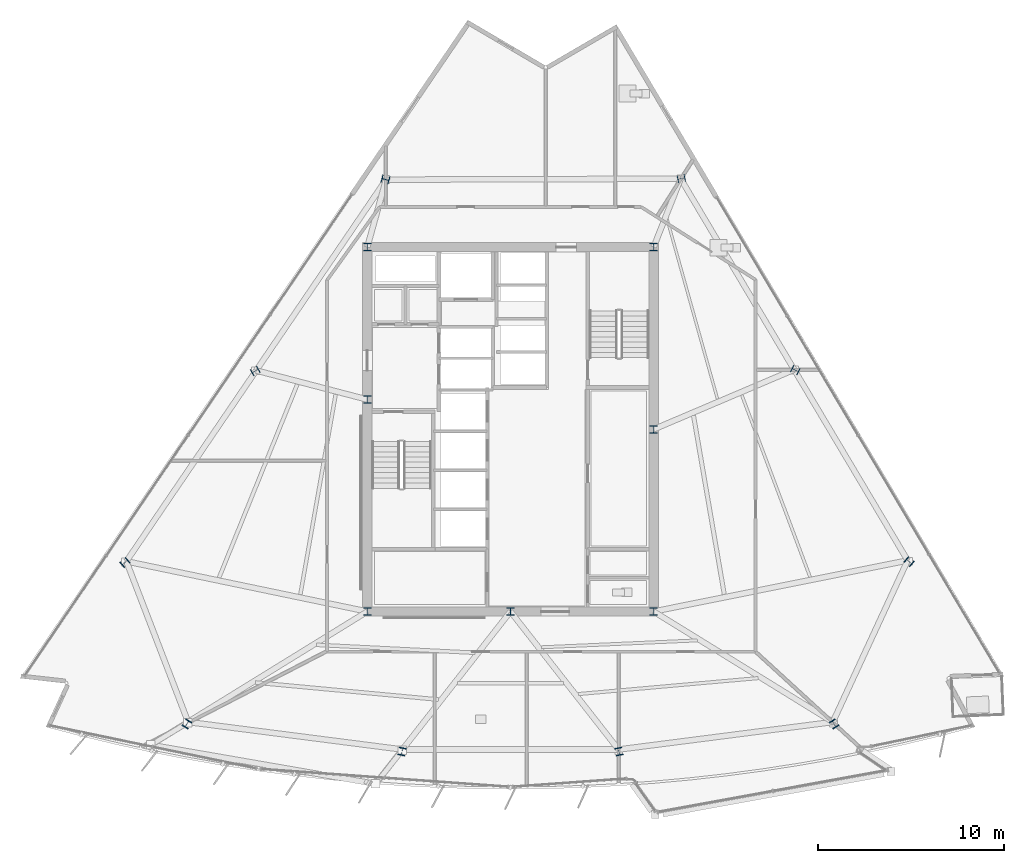
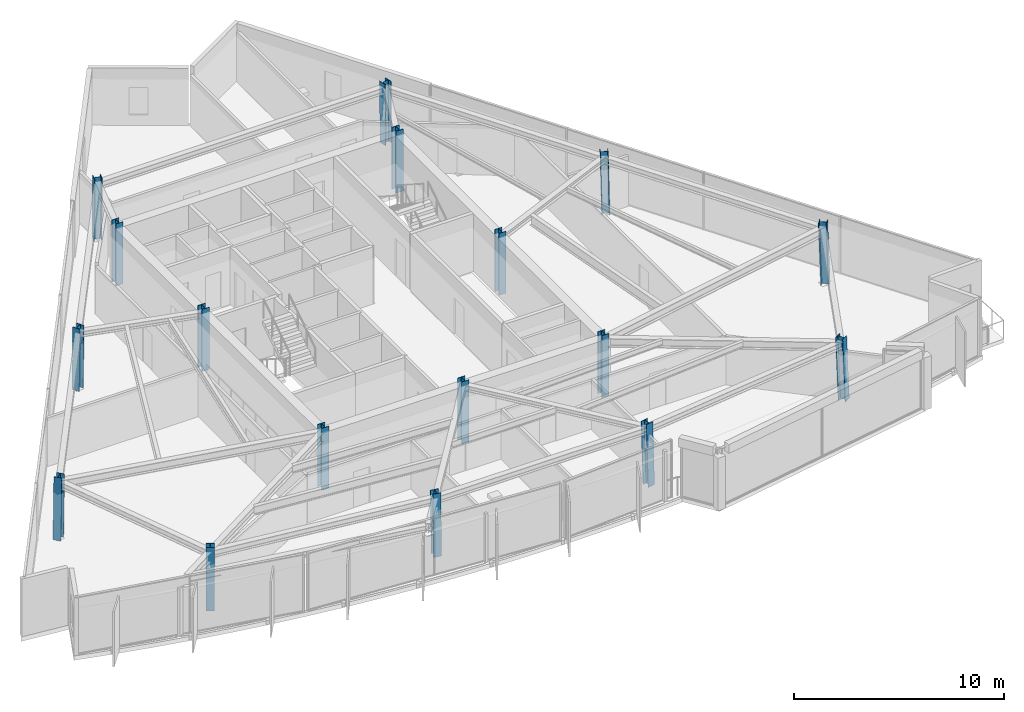
# One storey, part 1 of 13: 17 columns.
"""IFC4 building model written with IfcOpenShell, lengths in metres."""

from ifc_helpers import new_model, si_unit, direction, frame, origin, origin_2d, place, context, subcontext, project, spatial, i_section, extrude, material, material_profile, profile_set, type_object, element, save


model = new_model("IFC4")

# Units and contexts
model_context = context("Model", 3, precision=1e-05, world=origin(), true_north=direction((0.0, 1.0)))
body_context = subcontext(model_context, "Body", "Model", "MODEL_VIEW")
ifc_project = project(units=[si_unit("LENGTHUNIT", "METRE"), si_unit("AREAUNIT", "SQUARE_METRE"), si_unit("VOLUMEUNIT", "CUBIC_METRE"), si_unit("PLANEANGLEUNIT", "RADIAN"), si_unit("MASSUNIT", "GRAM", prefix="KILO")], contexts=[model_context])

# Site, building, storey
site_placement = place(None, origin())
site = spatial("IfcSite", under=ifc_project, at=site_placement, CompositionType="ELEMENT")
building_placement = place(site_placement, origin())
building = spatial("IfcBuilding", under=site, at=building_placement, Name="Savorim Split Tower", CompositionType="ELEMENT")
storey_placement = place(building_placement, frame((0.0, 0.0, 174.60009765625)))
storey = spatial("IfcBuildingStorey", under=building, at=storey_placement, Name="L46", CompositionType="ELEMENT", Elevation=174.60009765625)

# Columns
ifc_material = material(Name="Steel S460", Category="steel")
ifc_material_profile_1 = material_profile(ifc_material, i_section(OverallWidth=0.40087890625, OverallDepth=0.39892578125, WebThickness=0.015625, FlangeThickness=0.02490234375, FilletRadius=0.014892578125, at=origin_2d()), Name="HD 400x314")
ifc_profile_set_1 = profile_set([ifc_material_profile_1], Name="Steel S460")
column_type_1 = type_object("IfcColumnType", Name="COL-HD-314", PredefinedType="COLUMN", material=ifc_profile_set_1)
column_1_placement = place(storey_placement, frame((-17.41455078125, -15.46533203125, 0.00537109375), z_axis=(0.021205716244, 0.034391321857, 0.999183443908), x_axis=(-0.851195920716, 0.524848077596, 0.0)))
element("IfcColumn", 1, at=column_1_placement, inside=storey, type_object=column_type_1, Name="L46 Tapered Perimeter Column PC-S1", PredefinedType="COLUMN", context=body_context, shape_type="SweptSolid", body=[
    extrude(i_section(OverallWidth=0.40087890625, OverallDepth=0.39892578125, WebThickness=0.015625, FlangeThickness=0.02490234375, FilletRadius=0.014892578125, at=origin_2d()), origin(), (0.0, 0.0, 1.0), 3.592041015625),
])
for number, where, z_axis, x_axis, name in (
    (2, (-5.83642578125, -16.951904296875, 0.00537109375), (0.007069526978, 0.036231325765, 0.999318424138), (-0.981490592026, 0.19151035942, 0.0), "L46 Tapered Perimeter Column PC-S2"),
    (3, (5.83642578125, -16.951904296875, 0.00537109375), (-0.007069526978, 0.036231325765, 0.999318424138), (-0.981490592026, -0.19151035942, 0.0), "L46 Tapered Perimeter Column PC-S3"),
):
    element("IfcColumn", number, at=place(storey_placement, frame(where, z_axis=z_axis, x_axis=x_axis)), inside=storey, type_object=column_type_1, Name=name, PredefinedType="COLUMN", context=body_context, shape_type="SweptSolid", body=[
        extrude(i_section(OverallWidth=0.40087890625, OverallDepth=0.39892578125, WebThickness=0.015625, FlangeThickness=0.02490234375, FilletRadius=0.014892578125, at=origin_2d()), origin(), (0.0, 0.0, 1.0), 3.591552734375),
    ])
column_2_placement = place(storey_placement, frame((17.41455078125, -15.46533203125, 0.00537109375), z_axis=(-0.021205716244, 0.034391321857, 0.999183443908), x_axis=(-0.851195920716, -0.524848077596, 0.0)))
element("IfcColumn", 4, at=column_2_placement, inside=storey, type_object=column_type_1, Name="L46 Tapered Perimeter Column PC-S4", PredefinedType="COLUMN", context=body_context, shape_type="SweptSolid", body=[
    extrude(i_section(OverallWidth=0.40087890625, OverallDepth=0.39892578125, WebThickness=0.015625, FlangeThickness=0.02490234375, FilletRadius=0.014892578125, at=origin_2d()), origin(), (0.0, 0.0, 1.0), 3.592041015625),
])
column_3_placement = place(storey_placement, frame((21.45458984375, -6.732421875, 0.00537109375), z_axis=(-0.026784657173, 0.022229905827, 0.99939402311), x_axis=(-0.638646294968, -0.7695004288, 0.0)))
element("IfcColumn", 5, at=column_3_placement, inside=storey, type_object=column_type_1, Name="L46 Tapered Perimeter Column PC-E1", PredefinedType="COLUMN", context=body_context, shape_type="SweptSolid", body=[
    extrude(i_section(OverallWidth=0.40087890625, OverallDepth=0.39892578125, WebThickness=0.015625, FlangeThickness=0.02490234375, FilletRadius=0.014892578125, at=origin_2d()), origin(), (0.0, 0.0, 1.0), 3.59130859375),
])
column_4_placement = place(storey_placement, frame((15.3251953125, 3.575927734375, 0.00537109375), z_axis=(-0.019449845701, 0.009792929304, 0.999762872904), x_axis=(-0.449710241045, -0.893174506521, 0.0)))
element("IfcColumn", 6, at=column_4_placement, inside=storey, type_object=column_type_1, Name="L46 Tapered Perimeter Column PC-E2", PredefinedType="COLUMN", context=body_context, shape_type="SweptSolid", body=[
    extrude(i_section(OverallWidth=0.40087890625, OverallDepth=0.39892578125, WebThickness=0.015625, FlangeThickness=0.02490234375, FilletRadius=0.014892578125, at=origin_2d()), origin(), (0.0, 0.0, 1.0), 3.58984375),
])
for number, where, z_axis, x_axis, name in (
    (7, (9.19580078125, 13.88427734375, 0.00537109375), (-0.012107091976, -0.002584660085, 0.999923365992), (0.208778603291, -0.977962931203, 0.0), "L46 Tapered Perimeter Column PC-E3"),
    (8, (-6.72509765625, 13.83544921875, 0.00537109375), (0.00911461711, -0.002584742166, 0.999955120424), (0.272824100275, 0.962063932548, 0.0), "L46 Tapered Perimeter Column PC-W1"),
):
    element("IfcColumn", number, at=place(storey_placement, frame(where, z_axis=z_axis, x_axis=x_axis)), inside=storey, type_object=column_type_1, Name=name, PredefinedType="COLUMN", context=body_context, shape_type="SweptSolid", body=[
        extrude(i_section(OverallWidth=0.40087890625, OverallDepth=0.39892578125, WebThickness=0.015625, FlangeThickness=0.02490234375, FilletRadius=0.014892578125, at=origin_2d()), origin(), (0.0, 0.0, 1.0), 3.58935546875),
    ])
column_5_placement = place(storey_placement, frame((-13.737548828125, 3.527099609375, 0.00537109375), z_axis=(0.017478283334, 0.009861288262, 0.999798612024), x_axis=(-0.491387103822, 0.870941280568, 0.0)))
element("IfcColumn", 9, at=column_5_placement, inside=storey, type_object=column_type_1, Name="L46 Tapered Perimeter Column PC-W2", PredefinedType="COLUMN", context=body_context, shape_type="SweptSolid", body=[
    extrude(i_section(OverallWidth=0.40087890625, OverallDepth=0.39892578125, WebThickness=0.015625, FlangeThickness=0.02490234375, FilletRadius=0.014892578125, at=origin_2d()), origin(), (0.0, 0.0, 1.0), 3.58984375),
])
column_6_placement = place(storey_placement, frame((-20.75, -6.781005859375, 0.00537109375), z_axis=(0.025969478805, 0.022162434791, 0.999417036404), x_axis=(-0.649149996291, 0.760660425102, 0.0)))
element("IfcColumn", 10, at=column_6_placement, inside=storey, type_object=column_type_1, Name="L46 Tapered Perimeter Column PC-W3", PredefinedType="COLUMN", context=body_context, shape_type="SweptSolid", body=[
    extrude(i_section(OverallWidth=0.40087890625, OverallDepth=0.39892578125, WebThickness=0.015625, FlangeThickness=0.02490234375, FilletRadius=0.014892578125, at=origin_2d()), origin(), (0.0, 0.0, 1.0), 3.59130859375),
])
ifc_material_profile_2 = material_profile(ifc_material, i_section(OverallWidth=0.404052734375, OverallDepth=0.406982421875, WebThickness=0.017333984375, FlangeThickness=0.028076171875, FilletRadius=0.014892578125, at=origin_2d()), Name="HD 400x347")
ifc_profile_set_2 = profile_set([ifc_material_profile_2], Name="Steel S460")
column_type_2 = type_object("IfcColumnType", Name="COL-HD-347", PredefinedType="COLUMN", material=ifc_profile_set_2)
for number, where, z_axis, x_axis, name in (
    (11, (-7.699951171875, -9.39990234375, 0.0), (0.0, 0.0, 1.0), (1.0, 0.0, 0.0), "L46 Core Structural Column TC-C1"),
    (12, (7.699951171875, -9.39990234375, 0.0), (0.0, 0.0, 1.0), (1.0, 0.0, 0.0), "L46 Core Structural Column TC-C2"),
    (13, (7.699951171875, 10.199951171875, 0.0), (0.0, 0.0, 1.0), (1.0, 0.0, 0.0), "L46 Core Structural Column TC-C3"),
    (14, (-7.699951171875, 10.199951171875, 0.0), (0.0, 0.0, 1.0), (1.0, 0.0, 0.0), "L46 Core Structural Column TC-C4"),
    (15, (0.0, -9.39990234375, 0.0), (0.0, 0.0, 1.0), (1.0, 0.0, 0.0), "L46 Core Structural Column TC-C5"),
    (16, (7.699951171875, 0.39990234375, 0.0), (0.0, 0.0, 1.0), (1.0, 0.0, 0.0), "L46 Core Structural Column TC-C6"),
    (17, (-7.699951171875, 2.0, 0.0), (0.0, 0.0, 1.0), (1.0, 0.0, 0.0), "L46 Core Structural Column TC-C7"),
):
    element("IfcColumn", number, at=place(storey_placement, frame(where, z_axis=z_axis, x_axis=x_axis)), inside=storey, type_object=column_type_2, Name=name, PredefinedType="COLUMN", context=body_context, shape_type="SweptSolid", body=[
        extrude(i_section(OverallWidth=0.404052734375, OverallDepth=0.406982421875, WebThickness=0.017333984375, FlangeThickness=0.028076171875, FilletRadius=0.014892578125, at=origin_2d()), origin(), (0.0, 0.0, 1.0), 3.599853515625),
    ])

save(model, "model.ifc")
